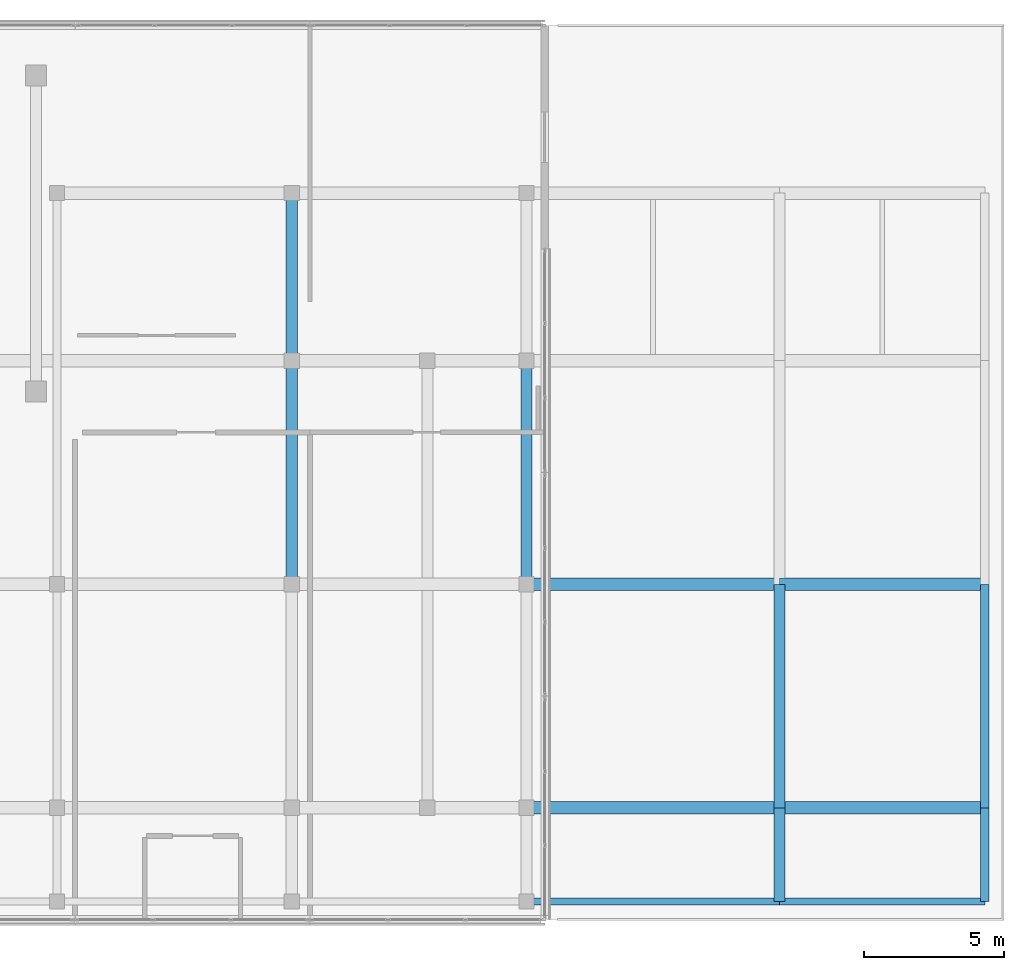
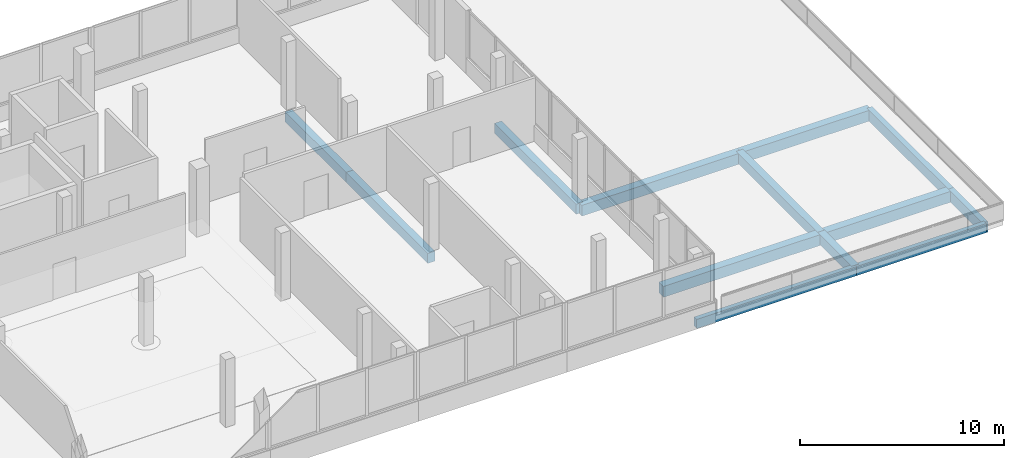
# One storey, part 44 of 66: 13 beams.
"""IFC4 building model written with IfcOpenShell, lengths in metres."""

from ifc_helpers import new_model, si_unit, direction, frame, origin, origin_2d, place, context, subcontext, project, spatial, rectangle, extrude, material, material_profile, profile_set, type_object, element, save


model = new_model("IFC4")

# Units and contexts
model_context = context("Model", 3, precision=1e-05, world=origin(), true_north=direction((0.0, 1.0)))
body_context = subcontext(model_context, "Body", "Model", "MODEL_VIEW")
ifc_project = project(units=[si_unit("LENGTHUNIT", "METRE"), si_unit("AREAUNIT", "SQUARE_METRE"), si_unit("VOLUMEUNIT", "CUBIC_METRE"), si_unit("PLANEANGLEUNIT", "RADIAN"), si_unit("MASSUNIT", "GRAM", prefix="KILO")], contexts=[model_context])

# Site, building, storey
site_placement = place(None, origin())
site = spatial("IfcSite", under=ifc_project, at=site_placement, CompositionType="ELEMENT")
building_placement = place(site_placement, origin())
building = spatial("IfcBuilding", under=site, at=building_placement, Name="Selatvlak General Hospital", CompositionType="ELEMENT")
storey_placement = place(building_placement, frame((0.0, 0.0, 31.35009765625)))
storey = spatial("IfcBuildingStorey", under=building, at=storey_placement, Name="L07", CompositionType="ELEMENT", Elevation=31.35009765625)

# Beams
ifc_material = material(Name="Concrete C40/50", Category="concrete")
ifc_material_profile_1 = material_profile(ifc_material, rectangle(XDim=0.449951171875, YDim=0.64990234375, at=origin_2d()), Name="RC-BM 450x650")
ifc_profile_set_1 = profile_set([ifc_material_profile_1], Name="Concrete C40/50")
beam_type_1 = type_object("IfcBeamType", Name="BM-G04", PredefinedType="BEAM", material=ifc_profile_set_1)
beam_1_placement = place(storey_placement, frame((164.949951171875, 92.0, -0.59716796875), z_axis=(1.0, 0.0, 0.0), x_axis=(0.0, 1.0, 0.0)))
element("IfcBeam", 1, at=beam_1_placement, inside=storey, type_object=beam_type_1, Name="Beam BMR-L07-2399", PredefinedType="BEAM", context=body_context, shape_type="SweptSolid", body=[
    extrude(rectangle(XDim=0.449951171875, YDim=0.64990234375, at=origin_2d()), origin(), (0.0, 0.0, 1.0), 9.050048828125),
])
beam_2_placement = place(storey_placement, frame((174.0, 92.0, -0.59716796875), z_axis=(1.0, 0.0, 0.0), x_axis=(0.0, 1.0, 0.0)))
element("IfcBeam", 2, at=beam_2_placement, inside=storey, type_object=beam_type_1, Name="Beam BMR-L07-2400", PredefinedType="BEAM", context=body_context, shape_type="SweptSolid", body=[
    extrude(rectangle(XDim=0.449951171875, YDim=0.64990234375, at=origin_2d()), origin(), (0.0, 0.0, 1.0), 7.35009765625),
])
beam_3_placement = place(storey_placement, frame((164.949951171875, 100.0, -0.59716796875), z_axis=(1.0, 0.0, 0.0), x_axis=(0.0, 1.0, 0.0)))
element("IfcBeam", 3, at=beam_3_placement, inside=storey, type_object=beam_type_1, Name="Beam BMR-L07-2418", PredefinedType="BEAM", context=body_context, shape_type="SweptSolid", body=[
    extrude(rectangle(XDim=0.449951171875, YDim=0.64990234375, at=origin_2d()), origin(), (0.0, 0.0, 1.0), 9.050048828125),
])
beam_4_placement = place(storey_placement, frame((174.0, 100.0, -0.59716796875), z_axis=(1.0, 0.0, 0.0), x_axis=(0.0, 1.0, 0.0)))
element("IfcBeam", 4, at=beam_4_placement, inside=storey, type_object=beam_type_1, Name="Beam BMR-L07-2419", PredefinedType="BEAM", context=body_context, shape_type="SweptSolid", body=[
    extrude(rectangle(XDim=0.449951171875, YDim=0.64990234375, at=origin_2d()), origin(), (0.0, 0.0, 1.0), 7.35009765625),
])
ifc_material_profile_2 = material_profile(ifc_material, rectangle(XDim=0.39990234375, YDim=0.60009765625, at=origin_2d()), Name="RC-BM 400x600")
ifc_profile_set_2 = profile_set([ifc_material_profile_2], Name="Concrete C40/50")
beam_type_2 = type_object("IfcBeamType", Name="BM-G05", PredefinedType="BEAM", material=ifc_profile_set_2)
beam_5_placement = place(storey_placement, frame((156.550048828125, 100.0, -0.570068359375), z_axis=(0.0, 1.0, 0.0), x_axis=(-1.0, 0.0, 0.0)))
element("IfcBeam", 5, at=beam_5_placement, inside=storey, type_object=beam_type_2, Name="Beam BMR-L07-2533", PredefinedType="BEAM", context=body_context, shape_type="SweptSolid", body=[
    extrude(rectangle(XDim=0.39990234375, YDim=0.60009765625, at=origin_2d()), origin(), (0.0, 0.0, 1.0), 8.0),
])
beam_6_placement = place(storey_placement, frame((156.550048828125, 108.0, -0.570068359375), z_axis=(0.0, 1.0, 0.0), x_axis=(-1.0, 0.0, 0.0)))
element("IfcBeam", 6, at=beam_6_placement, inside=storey, type_object=beam_type_2, Name="Beam BMR-L07-2534", PredefinedType="BEAM", context=body_context, shape_type="SweptSolid", body=[
    extrude(rectangle(XDim=0.39990234375, YDim=0.60009765625, at=origin_2d()), origin(), (0.0, 0.0, 1.0), 6.0),
])
beam_7_placement = place(storey_placement, frame((164.949951171875, 100.0, -0.570068359375), z_axis=(0.0, 1.0, 0.0), x_axis=(-1.0, 0.0, 0.0)))
element("IfcBeam", 7, at=beam_7_placement, inside=storey, type_object=beam_type_2, Name="Beam BMR-L07-2538", PredefinedType="BEAM", context=body_context, shape_type="SweptSolid", body=[
    extrude(rectangle(XDim=0.39990234375, YDim=0.60009765625, at=origin_2d()), origin(), (0.0, 0.0, 1.0), 8.0),
])
beam_8_placement = place(storey_placement, frame((174.0, 88.64990234375, -0.572021484375), z_axis=(0.0, 1.0, 0.0), x_axis=(-1.0, 0.0, 0.0)))
element("IfcBeam", 8, at=beam_8_placement, inside=storey, type_object=beam_type_2, Name="Beam BMR-L07-2540", PredefinedType="BEAM", context=body_context, shape_type="SweptSolid", body=[
    extrude(rectangle(XDim=0.39990234375, YDim=0.60009765625, at=origin_2d()), origin(), (0.0, 0.0, 1.0), 3.35009765625),
])
beam_9_placement = place(storey_placement, frame((174.0, 92.0, -0.572021484375), z_axis=(0.0, 1.0, 0.0), x_axis=(-1.0, 0.0, 0.0)))
element("IfcBeam", 9, at=beam_9_placement, inside=storey, type_object=beam_type_2, Name="Beam BMR-L07-2541", PredefinedType="BEAM", context=body_context, shape_type="SweptSolid", body=[
    extrude(rectangle(XDim=0.39990234375, YDim=0.60009765625, at=origin_2d()), origin(), (0.0, 0.0, 1.0), 8.0),
])
ifc_material_profile_3 = material_profile(ifc_material, rectangle(XDim=0.300048828125, YDim=0.64990234375, at=origin_2d()), Name="RC-SP 300x650")
ifc_profile_set_3 = profile_set([ifc_material_profile_3], Name="Concrete C40/50")
beam_type_3 = type_object("IfcBeamType", Name="BM-SP1", PredefinedType="SPANDREL", material=ifc_profile_set_3)
beam_10_placement = place(storey_placement, frame((181.35009765625, 88.64990234375, -0.59716796875), z_axis=(0.0, 1.0, 0.0), x_axis=(-1.0, 0.0, 0.0)))
element("IfcBeam", 10, at=beam_10_placement, inside=storey, type_object=beam_type_3, Name="Beam BMR-L07-2544", PredefinedType="SPANDREL", context=body_context, shape_type="SweptSolid", body=[
    extrude(rectangle(XDim=0.300048828125, YDim=0.64990234375, at=origin_2d()), origin(), (0.0, 0.0, 1.0), 3.35009765625),
])
beam_11_placement = place(storey_placement, frame((181.35009765625, 92.0, -0.59716796875), z_axis=(0.0, 1.0, 0.0), x_axis=(-1.0, 0.0, 0.0)))
element("IfcBeam", 11, at=beam_11_placement, inside=storey, type_object=beam_type_3, Name="Beam BMR-L07-2545", PredefinedType="SPANDREL", context=body_context, shape_type="SweptSolid", body=[
    extrude(rectangle(XDim=0.300048828125, YDim=0.64990234375, at=origin_2d()), origin(), (0.0, 0.0, 1.0), 8.0),
])
ifc_material_profile_4 = material_profile(ifc_material, rectangle(XDim=0.25, YDim=0.550048828125, at=origin_2d()), Name="RC-SP 250x550")
ifc_profile_set_4 = profile_set([ifc_material_profile_4], Name="Concrete C40/50")
beam_type_4 = type_object("IfcBeamType", Name="BM-SP2", PredefinedType="SPANDREL", material=ifc_profile_set_4)
beam_12_placement = place(storey_placement, frame((164.949951171875, 88.64990234375, -0.547119140625), z_axis=(1.0, 0.0, 0.0), x_axis=(0.0, 1.0, 0.0)))
element("IfcBeam", 12, at=beam_12_placement, inside=storey, type_object=beam_type_4, Name="Beam BMR-L07-2379", PredefinedType="SPANDREL", context=body_context, shape_type="SweptSolid", body=[
    extrude(rectangle(XDim=0.25, YDim=0.550048828125, at=origin_2d()), origin(), (0.0, 0.0, 1.0), 9.050048828125),
])
beam_13_placement = place(storey_placement, frame((174.0, 88.64990234375, -0.547119140625), z_axis=(1.0, 0.0, 0.0), x_axis=(0.0, 1.0, 0.0)))
element("IfcBeam", 13, at=beam_13_placement, inside=storey, type_object=beam_type_4, Name="Beam BMR-L07-2380", PredefinedType="SPANDREL", context=body_context, shape_type="SweptSolid", body=[
    extrude(rectangle(XDim=0.25, YDim=0.550048828125, at=origin_2d()), origin(), (0.0, 0.0, 1.0), 7.35009765625),
])

save(model, "model.ifc")
